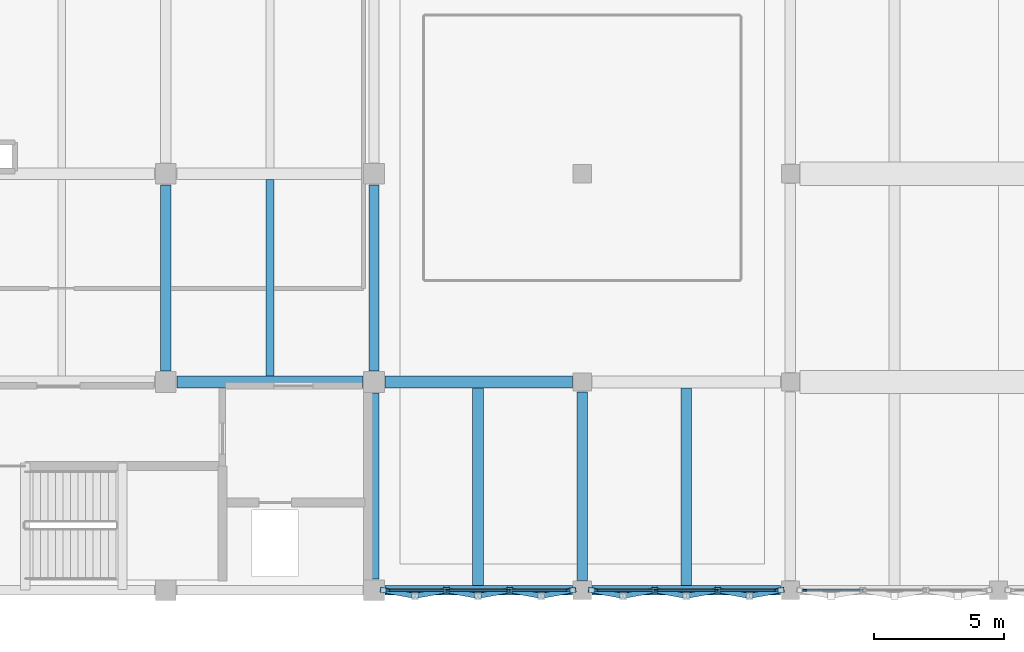
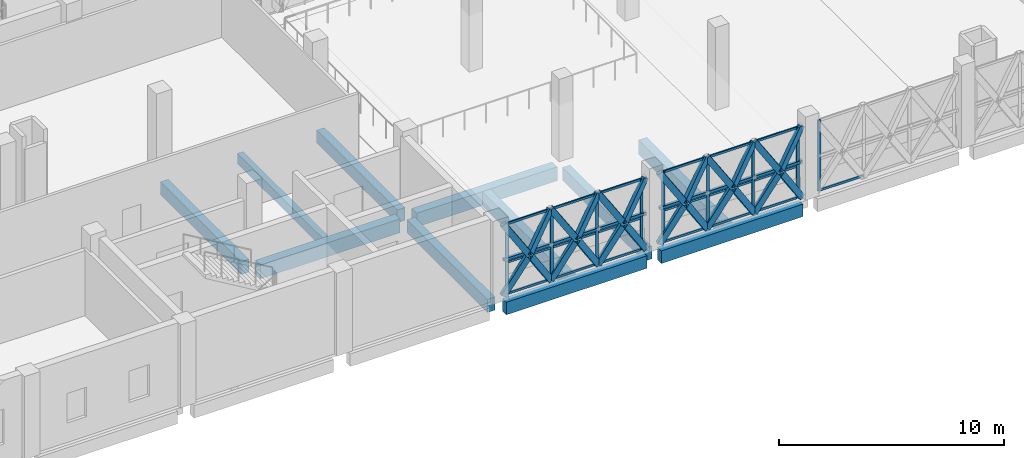
# One storey, part 5 of 45: 58 members, 11 beams, 3 elements without a shape of their own.
"""IFC4 building model written with IfcOpenShell, lengths in metres."""

from ifc_helpers import new_model, si_unit, direction, frame, origin, origin_2d, place, context, subcontext, project, spatial, rectangle, hollow_rectangle, extrude, material, layer, layer_set, material_profile, profile_set, type_object, element, aggregate, save


model = new_model("IFC4")

# Units and contexts
model_context = context("Model", 3, precision=1e-05, world=origin(), true_north=direction((0.0, 1.0)))
body_context = subcontext(model_context, "Body", "Model", "MODEL_VIEW")
ifc_project = project(units=[si_unit("LENGTHUNIT", "METRE"), si_unit("AREAUNIT", "SQUARE_METRE"), si_unit("VOLUMEUNIT", "CUBIC_METRE"), si_unit("PLANEANGLEUNIT", "RADIAN"), si_unit("MASSUNIT", "GRAM", prefix="KILO")], contexts=[model_context])

# Site, building, storey
site_placement = place(None, origin())
site = spatial("IfcSite", under=ifc_project, at=site_placement, CompositionType="ELEMENT")
building_placement = place(site_placement, origin())
building = spatial("IfcBuilding", under=site, at=building_placement, Name="Qorikala Patio Media Centre", CompositionType="ELEMENT")
storey_placement = place(building_placement, frame((0.0, 0.0, 9.89990234375)))
storey = spatial("IfcBuildingStorey", under=building, at=storey_placement, Name="L02", CompositionType="ELEMENT", Elevation=9.89990234375)

# Beams
ifc_material_1 = material(Name="Concrete C35/45", Category="concrete")
ifc_material_profile_1 = material_profile(ifc_material_1, rectangle(XDim=0.39990234375, YDim=0.699951171875, at=origin_2d()), Name="RC 400x700")
ifc_profile_set_1 = profile_set([ifc_material_profile_1], Name="Concrete C35/45")
beam_type_1 = type_object("IfcBeamType", Name="BM-G400X700", PredefinedType="BEAM", material=ifc_profile_set_1)
for number, where, z_axis, x_axis, name in (
    (1, (35.0, 11.425048828125, -0.64990234375), (0.0, 1.0, 0.0), (-1.0, 0.0, 0.0), "L02 Grid X=35 Beam 0935"),
    (2, (43.0, 3.425048828125, -0.64990234375), (0.0, 1.0, 0.0), (-1.0, 0.0, 0.0), "L02 Grid X=43 Beam 0942"),
    (3, (43.0, 11.425048828125, -0.64990234375), (0.0, 1.0, 0.0), (-1.0, 0.0, 0.0), "L02 Grid X=43 Beam 0943"),
):
    element("IfcBeam", number, at=place(storey_placement, frame(where, z_axis=z_axis, x_axis=x_axis)), inside=storey, type_object=beam_type_1, Name=name, PredefinedType="BEAM", context=body_context, shape_type="SweptSolid", body=[
        extrude(rectangle(XDim=0.39990234375, YDim=0.699951171875, at=origin_2d()), origin(), (0.0, 0.0, 1.0), 7.14990234375),
    ])
beam_1_placement = place(storey_placement, frame((51.0, 3.375, -0.64990234375), z_axis=(0.0, 1.0, 0.0), x_axis=(-1.0, 0.0, 0.0)))
element("IfcBeam", 4, at=beam_1_placement, inside=storey, type_object=beam_type_1, Name="L02 Grid X=51 Beam 0946", PredefinedType="BEAM", context=body_context, shape_type="SweptSolid", body=[
    extrude(rectangle(XDim=0.39990234375, YDim=0.699951171875, at=origin_2d()), origin(), (0.0, 0.0, 1.0), 7.25),
])
ifc_material_profile_2 = material_profile(ifc_material_1, rectangle(XDim=0.449951171875, YDim=0.75, at=origin_2d()), Name="RC 450x750")
ifc_profile_set_2 = profile_set([ifc_material_profile_2], Name="Concrete C35/45")
beam_type_2 = type_object("IfcBeamType", Name="BM-G450X750", PredefinedType="BEAM", material=ifc_profile_set_2)
beam_2_placement = place(storey_placement, frame((35.425048828125, 11.0, -0.6748046875), z_axis=(1.0, 0.0, 0.0), x_axis=(0.0, 1.0, 0.0)))
element("IfcBeam", 5, at=beam_2_placement, inside=storey, type_object=beam_type_2, Name="L02 Grid 11 Beam 0780", PredefinedType="BEAM", context=body_context, shape_type="SweptSolid", body=[
    extrude(rectangle(XDim=0.449951171875, YDim=0.75, at=origin_2d()), origin(), (0.0, 0.0, 1.0), 7.14990234375),
])
beam_3_placement = place(storey_placement, frame((43.425048828125, 11.0, -0.6748046875), z_axis=(1.0, 0.0, 0.0), x_axis=(0.0, 1.0, 0.0)))
element("IfcBeam", 6, at=beam_3_placement, inside=storey, type_object=beam_type_2, Name="L02 Grid 11 Beam 0781", PredefinedType="BEAM", context=body_context, shape_type="SweptSolid", body=[
    extrude(rectangle(XDim=0.449951171875, YDim=0.75, at=origin_2d()), origin(), (0.0, 0.0, 1.0), 7.199951171875),
])

# Members
ifc_material_2 = material(Name="Golden Bronze Coated Steel S355", Category="steel")
ifc_material_profile_3 = material_profile(ifc_material_2, hollow_rectangle(XDim=0.139892578125, YDim=0.139892578125, WallThickness=0.006103515625, at=origin_2d()), Name="HSS140X140X6")
ifc_profile_set_3 = profile_set([ifc_material_profile_3], Name="Golden Bronze Coated Steel S355")
member_type_1 = type_object("IfcMemberType", Name="BRACE-DIA140", PredefinedType="BRACE", material=ifc_profile_set_3)
member_1_placement = place(storey_placement, frame((58.639892578125, 3.0, 1.925048828125), z_axis=(-1.0, 0.0, 0.0), x_axis=(0.0, -1.0, 0.0)))
element("IfcMember", 7, at=member_1_placement, inside=storey, type_object=member_type_1, Name="L02 Diamond Fold Tie 043", PredefinedType="BRACE", context=body_context, shape_type="SweptSolid", body=[
    extrude(hollow_rectangle(XDim=0.139892578125, YDim=0.139892578125, WallThickness=0.006103515625, at=origin_2d()), origin(), (0.0, 0.0, 1.0), 2.426513671875),
])
member_2_placement = place(storey_placement, frame((56.21337890625, 3.0, 1.925048828125), z_axis=(-1.0, 0.0, 0.0), x_axis=(0.0, -1.0, 0.0)))
element("IfcMember", 8, at=member_2_placement, inside=storey, type_object=member_type_1, Name="L02 Diamond Fold Tie 044", PredefinedType="BRACE", context=body_context, shape_type="SweptSolid", body=[
    extrude(hollow_rectangle(XDim=0.139892578125, YDim=0.139892578125, WallThickness=0.006103515625, at=origin_2d()), origin(), (0.0, 0.0, 1.0), 2.4267578125),
])
for number, where, z_axis, x_axis, name in (
    (9, (53.78662109375, 3.0, 1.925048828125), (-1.0, 0.0, 0.0), (0.0, -1.0, 0.0), "L02 Diamond Fold Tie 045"),
    (10, (50.639892578125, 3.0, 1.925048828125), (-1.0, 0.0, 0.0), (0.0, -1.0, 0.0), "L02 Diamond Fold Tie 046"),
):
    element("IfcMember", number, at=place(storey_placement, frame(where, z_axis=z_axis, x_axis=x_axis)), inside=storey, type_object=member_type_1, Name=name, PredefinedType="BRACE", context=body_context, shape_type="SweptSolid", body=[
        extrude(hollow_rectangle(XDim=0.139892578125, YDim=0.139892578125, WallThickness=0.006103515625, at=origin_2d()), origin(), (0.0, 0.0, 1.0), 2.426513671875),
    ])
member_3_placement = place(storey_placement, frame((48.21337890625, 3.0, 1.925048828125), z_axis=(-1.0, 0.0, 0.0), x_axis=(0.0, -1.0, 0.0)))
element("IfcMember", 11, at=member_3_placement, inside=storey, type_object=member_type_1, Name="L02 Diamond Fold Tie 047", PredefinedType="BRACE", context=body_context, shape_type="SweptSolid", body=[
    extrude(hollow_rectangle(XDim=0.139892578125, YDim=0.139892578125, WallThickness=0.006103515625, at=origin_2d()), origin(), (0.0, 0.0, 1.0), 2.4267578125),
])
member_4_placement = place(storey_placement, frame((45.78662109375, 3.0, 1.925048828125), z_axis=(-1.0, 0.0, 0.0), x_axis=(0.0, -1.0, 0.0)))
element("IfcMember", 12, at=member_4_placement, inside=storey, type_object=member_type_1, Name="L02 Diamond Fold Tie 048", PredefinedType="BRACE", context=body_context, shape_type="SweptSolid", body=[
    extrude(hollow_rectangle(XDim=0.139892578125, YDim=0.139892578125, WallThickness=0.006103515625, at=origin_2d()), origin(), (0.0, 0.0, 1.0), 2.426513671875),
])

# Curtain wall, member
ifc_material_3 = material(Name="Golden Bronze Anodised Aluminium and Low-E Glass", Category="aluminium")
ifc_layer = layer(ifc_material_3, 0.159912109375)
ifc_layer_set = layer_set([ifc_layer], Name="Golden Bronze Anodised Aluminium and Low-E Glass")
curtain_wall_type = type_object("IfcCurtainWallType", Name="CW-DIA-696X385", PredefinedType="USERDEFINED", material=ifc_layer_set)
curtain_wall_1_placement = place(storey_placement, origin())
curtain_wall_1 = element("IfcCurtainWall", 13, at=curtain_wall_1_placement, inside=storey, type_object=curtain_wall_type, Name="L02 Courtyard Curtain Wall 042", ObjectType="COURTYARD CURTAIN WALL", PredefinedType="USERDEFINED")
ifc_material_4 = material(Name="Golden Bronze Anodised Aluminium", Category="aluminium")
ifc_material_profile_4 = material_profile(ifc_material_4, rectangle(XDim=0.06494140625, YDim=0.14990234375, at=origin_2d()), Name="ALU MULLION 65x150")
ifc_profile_set_4 = profile_set([ifc_material_profile_4], Name="Golden Bronze Anodised Aluminium")
member_type_2 = type_object("IfcMemberType", Name="CWM-65X150", PredefinedType="MULLION", material=ifc_profile_set_4)
member_5_placement = place(storey_placement, frame((59.552490234375, 3.0, 0.0), z_axis=(0.0, 0.0, 1.0), x_axis=(0.0, -1.0, 0.0)))
member_5 = element("IfcMember", 14, at=member_5_placement, type_object=member_type_2, Name="CWD696385 mullion 4", PredefinedType="MULLION", context=body_context, shape_type="SweptSolid", body=[
    extrude(rectangle(XDim=0.06494140625, YDim=0.14990234375, at=origin_2d()), origin(), (0.0, 0.0, 1.0), 3.85009765625),
])

# Curtain wall, members
curtain_wall_2_placement = place(storey_placement, origin())
curtain_wall_2 = element("IfcCurtainWall", 15, at=curtain_wall_2_placement, inside=storey, type_object=curtain_wall_type, Name="L02 Courtyard Curtain Wall 043", ObjectType="COURTYARD CURTAIN WALL", PredefinedType="USERDEFINED")
member_6_placement = place(storey_placement, frame((58.447509765625, 3.0, 0.0), z_axis=(0.0, 0.0, 1.0), x_axis=(0.0, -1.0, 0.0)))
member_6 = element("IfcMember", 16, at=member_6_placement, type_object=member_type_2, Name="CWD696385 mullion 1", PredefinedType="MULLION", context=body_context, shape_type="SweptSolid", body=[
    extrude(rectangle(XDim=0.06494140625, YDim=0.14990234375, at=origin_2d()), origin(), (0.0, 0.0, 1.0), 3.85009765625),
])
member_7_placement = place(storey_placement, frame((56.159912109375, 3.0, 0.0), z_axis=(0.0, 0.0, 1.0), x_axis=(0.0, -1.0, 0.0)))
member_7 = element("IfcMember", 17, at=member_7_placement, type_object=member_type_2, Name="CWD696385 mullion 2", PredefinedType="MULLION", context=body_context, shape_type="SweptSolid", body=[
    extrude(rectangle(XDim=0.06494140625, YDim=0.14990234375, at=origin_2d()), origin(), (0.0, 0.0, 1.0), 3.85009765625),
])
member_8_placement = place(storey_placement, frame((53.840087890625, 3.0, 0.0), z_axis=(0.0, 0.0, 1.0), x_axis=(0.0, -1.0, 0.0)))
member_8 = element("IfcMember", 18, at=member_8_placement, type_object=member_type_2, Name="CWD696385 mullion 3", PredefinedType="MULLION", context=body_context, shape_type="SweptSolid", body=[
    extrude(rectangle(XDim=0.06494140625, YDim=0.14990234375, at=origin_2d()), origin(), (0.0, 0.0, 1.0), 3.85009765625),
])
member_9_placement = place(storey_placement, frame((51.552490234375, 3.0, 0.0), z_axis=(0.0, 0.0, 1.0), x_axis=(0.0, -1.0, 0.0)))
member_9 = element("IfcMember", 19, at=member_9_placement, type_object=member_type_2, Name="CWD696385 mullion 4", PredefinedType="MULLION", context=body_context, shape_type="SweptSolid", body=[
    extrude(rectangle(XDim=0.06494140625, YDim=0.14990234375, at=origin_2d()), origin(), (0.0, 0.0, 1.0), 3.85009765625),
])

curtain_wall_3_placement = place(storey_placement, origin())
curtain_wall_3 = element("IfcCurtainWall", 20, at=curtain_wall_3_placement, inside=storey, type_object=curtain_wall_type, Name="L02 Courtyard Curtain Wall 044", ObjectType="COURTYARD CURTAIN WALL", PredefinedType="USERDEFINED")
member_10_placement = place(storey_placement, frame((50.447509765625, 3.0, 0.0), z_axis=(0.0, 0.0, 1.0), x_axis=(0.0, -1.0, 0.0)))
member_10 = element("IfcMember", 21, at=member_10_placement, type_object=member_type_2, Name="CWD696385 mullion 1", PredefinedType="MULLION", context=body_context, shape_type="SweptSolid", body=[
    extrude(rectangle(XDim=0.06494140625, YDim=0.14990234375, at=origin_2d()), origin(), (0.0, 0.0, 1.0), 3.85009765625),
])
member_11_placement = place(storey_placement, frame((48.159912109375, 3.0, 0.0), z_axis=(0.0, 0.0, 1.0), x_axis=(0.0, -1.0, 0.0)))
member_11 = element("IfcMember", 22, at=member_11_placement, type_object=member_type_2, Name="CWD696385 mullion 2", PredefinedType="MULLION", context=body_context, shape_type="SweptSolid", body=[
    extrude(rectangle(XDim=0.06494140625, YDim=0.14990234375, at=origin_2d()), origin(), (0.0, 0.0, 1.0), 3.85009765625),
])
member_12_placement = place(storey_placement, frame((45.840087890625, 3.0, 0.0), z_axis=(0.0, 0.0, 1.0), x_axis=(0.0, -1.0, 0.0)))
member_12 = element("IfcMember", 23, at=member_12_placement, type_object=member_type_2, Name="CWD696385 mullion 3", PredefinedType="MULLION", context=body_context, shape_type="SweptSolid", body=[
    extrude(rectangle(XDim=0.06494140625, YDim=0.14990234375, at=origin_2d()), origin(), (0.0, 0.0, 1.0), 3.85009765625),
])
member_13_placement = place(storey_placement, frame((43.552490234375, 3.0, 0.0), z_axis=(0.0, 0.0, 1.0), x_axis=(0.0, -1.0, 0.0)))
member_13 = element("IfcMember", 24, at=member_13_placement, type_object=member_type_2, Name="CWD696385 mullion 4", PredefinedType="MULLION", context=body_context, shape_type="SweptSolid", body=[
    extrude(rectangle(XDim=0.06494140625, YDim=0.14990234375, at=origin_2d()), origin(), (0.0, 0.0, 1.0), 3.85009765625),
])

# Member
ifc_material_profile_5 = material_profile(ifc_material_4, rectangle(XDim=0.06494140625, YDim=0.1201171875, at=origin_2d()), Name="ALU TRANSOM 65x120")
ifc_profile_set_5 = profile_set([ifc_material_profile_5], Name="Golden Bronze Anodised Aluminium")
member_type_3 = type_object("IfcMemberType", Name="CWT-65X120", PredefinedType="USERDEFINED", material=ifc_profile_set_5)
member_14_placement = place(storey_placement, frame((61.8076171875, 3.0, 0.03271484375), z_axis=(-1.0, 0.0, 0.0), x_axis=(0.0, -1.0, 0.0)))
member_14 = element("IfcMember", 25, at=member_14_placement, type_object=member_type_3, Name="CWD696385 transom 3.1", ObjectType="TRANSOM", PredefinedType="USERDEFINED", context=body_context, shape_type="SweptSolid", body=[
    extrude(rectangle(XDim=0.06494140625, YDim=0.1201171875, at=origin_2d()), origin(), (0.0, 0.0, 1.0), 2.22265625),
])

aggregate(curtain_wall_1, [member_5, member_14])

member_15_placement = place(storey_placement, frame((58.4150390625, 3.0, 0.03271484375), z_axis=(-1.0, 0.0, 0.0), x_axis=(0.0, -1.0, 0.0)))
member_15 = element("IfcMember", 26, at=member_15_placement, type_object=member_type_3, Name="CWD696385 transom 1.1", ObjectType="TRANSOM", PredefinedType="USERDEFINED", context=body_context, shape_type="SweptSolid", body=[
    extrude(rectangle(XDim=0.06494140625, YDim=0.1201171875, at=origin_2d()), origin(), (0.0, 0.0, 1.0), 2.22265625),
])

member_16_placement = place(storey_placement, frame((58.4150390625, 3.0, 1.732666015625), z_axis=(-1.0, 0.0, 0.0), x_axis=(0.0, -1.0, 0.0)))
member_16 = element("IfcMember", 27, at=member_16_placement, type_object=member_type_3, Name="CWD696385 transom 1.2", ObjectType="TRANSOM", PredefinedType="USERDEFINED", context=body_context, shape_type="SweptSolid", body=[
    extrude(rectangle(XDim=0.06494140625, YDim=0.1201171875, at=origin_2d()), origin(), (0.0, 0.0, 1.0), 2.22265625),
])

member_17_placement = place(storey_placement, frame((58.4150390625, 3.0, 3.817626953125), z_axis=(-1.0, 0.0, 0.0), x_axis=(0.0, -1.0, 0.0)))
member_17 = element("IfcMember", 28, at=member_17_placement, type_object=member_type_3, Name="CWD696385 transom 1.3", ObjectType="TRANSOM", PredefinedType="USERDEFINED", context=body_context, shape_type="SweptSolid", body=[
    extrude(rectangle(XDim=0.06494140625, YDim=0.1201171875, at=origin_2d()), origin(), (0.0, 0.0, 1.0), 2.22265625),
])

member_18_placement = place(storey_placement, frame((56.12744140625, 3.0, 0.03271484375), z_axis=(-1.0, 0.0, 0.0), x_axis=(0.0, -1.0, 0.0)))
member_18 = element("IfcMember", 29, at=member_18_placement, type_object=member_type_3, Name="CWD696385 transom 2.1", ObjectType="TRANSOM", PredefinedType="USERDEFINED", context=body_context, shape_type="SweptSolid", body=[
    extrude(rectangle(XDim=0.06494140625, YDim=0.1201171875, at=origin_2d()), origin(), (0.0, 0.0, 1.0), 2.2548828125),
])

member_19_placement = place(storey_placement, frame((56.12744140625, 3.0, 1.732666015625), z_axis=(-1.0, 0.0, 0.0), x_axis=(0.0, -1.0, 0.0)))
member_19 = element("IfcMember", 30, at=member_19_placement, type_object=member_type_3, Name="CWD696385 transom 2.2", ObjectType="TRANSOM", PredefinedType="USERDEFINED", context=body_context, shape_type="SweptSolid", body=[
    extrude(rectangle(XDim=0.06494140625, YDim=0.1201171875, at=origin_2d()), origin(), (0.0, 0.0, 1.0), 2.2548828125),
])

member_20_placement = place(storey_placement, frame((56.12744140625, 3.0, 3.817626953125), z_axis=(-1.0, 0.0, 0.0), x_axis=(0.0, -1.0, 0.0)))
member_20 = element("IfcMember", 31, at=member_20_placement, type_object=member_type_3, Name="CWD696385 transom 2.3", ObjectType="TRANSOM", PredefinedType="USERDEFINED", context=body_context, shape_type="SweptSolid", body=[
    extrude(rectangle(XDim=0.06494140625, YDim=0.1201171875, at=origin_2d()), origin(), (0.0, 0.0, 1.0), 2.2548828125),
])

member_21_placement = place(storey_placement, frame((53.8076171875, 3.0, 0.03271484375), z_axis=(-1.0, 0.0, 0.0), x_axis=(0.0, -1.0, 0.0)))
member_21 = element("IfcMember", 32, at=member_21_placement, type_object=member_type_3, Name="CWD696385 transom 3.1", ObjectType="TRANSOM", PredefinedType="USERDEFINED", context=body_context, shape_type="SweptSolid", body=[
    extrude(rectangle(XDim=0.06494140625, YDim=0.1201171875, at=origin_2d()), origin(), (0.0, 0.0, 1.0), 2.22265625),
])

member_22_placement = place(storey_placement, frame((53.8076171875, 3.0, 1.732666015625), z_axis=(-1.0, 0.0, 0.0), x_axis=(0.0, -1.0, 0.0)))
member_22 = element("IfcMember", 33, at=member_22_placement, type_object=member_type_3, Name="CWD696385 transom 3.2", ObjectType="TRANSOM", PredefinedType="USERDEFINED", context=body_context, shape_type="SweptSolid", body=[
    extrude(rectangle(XDim=0.06494140625, YDim=0.1201171875, at=origin_2d()), origin(), (0.0, 0.0, 1.0), 2.22265625),
])

member_23_placement = place(storey_placement, frame((53.8076171875, 3.0, 3.817626953125), z_axis=(-1.0, 0.0, 0.0), x_axis=(0.0, -1.0, 0.0)))
member_23 = element("IfcMember", 34, at=member_23_placement, type_object=member_type_3, Name="CWD696385 transom 3.3", ObjectType="TRANSOM", PredefinedType="USERDEFINED", context=body_context, shape_type="SweptSolid", body=[
    extrude(rectangle(XDim=0.06494140625, YDim=0.1201171875, at=origin_2d()), origin(), (0.0, 0.0, 1.0), 2.22265625),
])

aggregate(curtain_wall_2, [member_6, member_7, member_8, member_9, member_15, member_16, member_17, member_18, member_19, member_20, member_21, member_22, member_23])

member_24_placement = place(storey_placement, frame((50.4150390625, 3.0, 0.03271484375), z_axis=(-1.0, 0.0, 0.0), x_axis=(0.0, -1.0, 0.0)))
member_24 = element("IfcMember", 35, at=member_24_placement, type_object=member_type_3, Name="CWD696385 transom 1.1", ObjectType="TRANSOM", PredefinedType="USERDEFINED", context=body_context, shape_type="SweptSolid", body=[
    extrude(rectangle(XDim=0.06494140625, YDim=0.1201171875, at=origin_2d()), origin(), (0.0, 0.0, 1.0), 2.22265625),
])

member_25_placement = place(storey_placement, frame((50.4150390625, 3.0, 1.732666015625), z_axis=(-1.0, 0.0, 0.0), x_axis=(0.0, -1.0, 0.0)))
member_25 = element("IfcMember", 36, at=member_25_placement, type_object=member_type_3, Name="CWD696385 transom 1.2", ObjectType="TRANSOM", PredefinedType="USERDEFINED", context=body_context, shape_type="SweptSolid", body=[
    extrude(rectangle(XDim=0.06494140625, YDim=0.1201171875, at=origin_2d()), origin(), (0.0, 0.0, 1.0), 2.22265625),
])

member_26_placement = place(storey_placement, frame((50.4150390625, 3.0, 3.817626953125), z_axis=(-1.0, 0.0, 0.0), x_axis=(0.0, -1.0, 0.0)))
member_26 = element("IfcMember", 37, at=member_26_placement, type_object=member_type_3, Name="CWD696385 transom 1.3", ObjectType="TRANSOM", PredefinedType="USERDEFINED", context=body_context, shape_type="SweptSolid", body=[
    extrude(rectangle(XDim=0.06494140625, YDim=0.1201171875, at=origin_2d()), origin(), (0.0, 0.0, 1.0), 2.22265625),
])

member_27_placement = place(storey_placement, frame((48.12744140625, 3.0, 0.03271484375), z_axis=(-1.0, 0.0, 0.0), x_axis=(0.0, -1.0, 0.0)))
member_27 = element("IfcMember", 38, at=member_27_placement, type_object=member_type_3, Name="CWD696385 transom 2.1", ObjectType="TRANSOM", PredefinedType="USERDEFINED", context=body_context, shape_type="SweptSolid", body=[
    extrude(rectangle(XDim=0.06494140625, YDim=0.1201171875, at=origin_2d()), origin(), (0.0, 0.0, 1.0), 2.2548828125),
])

member_28_placement = place(storey_placement, frame((48.12744140625, 3.0, 1.732666015625), z_axis=(-1.0, 0.0, 0.0), x_axis=(0.0, -1.0, 0.0)))
member_28 = element("IfcMember", 39, at=member_28_placement, type_object=member_type_3, Name="CWD696385 transom 2.2", ObjectType="TRANSOM", PredefinedType="USERDEFINED", context=body_context, shape_type="SweptSolid", body=[
    extrude(rectangle(XDim=0.06494140625, YDim=0.1201171875, at=origin_2d()), origin(), (0.0, 0.0, 1.0), 2.2548828125),
])

member_29_placement = place(storey_placement, frame((48.12744140625, 3.0, 3.817626953125), z_axis=(-1.0, 0.0, 0.0), x_axis=(0.0, -1.0, 0.0)))
member_29 = element("IfcMember", 40, at=member_29_placement, type_object=member_type_3, Name="CWD696385 transom 2.3", ObjectType="TRANSOM", PredefinedType="USERDEFINED", context=body_context, shape_type="SweptSolid", body=[
    extrude(rectangle(XDim=0.06494140625, YDim=0.1201171875, at=origin_2d()), origin(), (0.0, 0.0, 1.0), 2.2548828125),
])

member_30_placement = place(storey_placement, frame((45.8076171875, 3.0, 0.03271484375), z_axis=(-1.0, 0.0, 0.0), x_axis=(0.0, -1.0, 0.0)))
member_30 = element("IfcMember", 41, at=member_30_placement, type_object=member_type_3, Name="CWD696385 transom 3.1", ObjectType="TRANSOM", PredefinedType="USERDEFINED", context=body_context, shape_type="SweptSolid", body=[
    extrude(rectangle(XDim=0.06494140625, YDim=0.1201171875, at=origin_2d()), origin(), (0.0, 0.0, 1.0), 2.22265625),
])

member_31_placement = place(storey_placement, frame((45.8076171875, 3.0, 1.732666015625), z_axis=(-1.0, 0.0, 0.0), x_axis=(0.0, -1.0, 0.0)))
member_31 = element("IfcMember", 42, at=member_31_placement, type_object=member_type_3, Name="CWD696385 transom 3.2", ObjectType="TRANSOM", PredefinedType="USERDEFINED", context=body_context, shape_type="SweptSolid", body=[
    extrude(rectangle(XDim=0.06494140625, YDim=0.1201171875, at=origin_2d()), origin(), (0.0, 0.0, 1.0), 2.22265625),
])

member_32_placement = place(storey_placement, frame((45.8076171875, 3.0, 3.817626953125), z_axis=(-1.0, 0.0, 0.0), x_axis=(0.0, -1.0, 0.0)))
member_32 = element("IfcMember", 43, at=member_32_placement, type_object=member_type_3, Name="CWD696385 transom 3.3", ObjectType="TRANSOM", PredefinedType="USERDEFINED", context=body_context, shape_type="SweptSolid", body=[
    extrude(rectangle(XDim=0.06494140625, YDim=0.1201171875, at=origin_2d()), origin(), (0.0, 0.0, 1.0), 2.22265625),
])

aggregate(curtain_wall_3, [member_10, member_11, member_12, member_13, member_24, member_25, member_26, member_27, member_28, member_29, member_30, member_31, member_32])

# Beams
ifc_material_profile_6 = material_profile(ifc_material_1, rectangle(XDim=0.300048828125, YDim=0.550048828125, at=origin_2d()), Name="RC 300x550")
ifc_profile_set_6 = profile_set([ifc_material_profile_6], Name="Concrete C35/45")
beam_type_3 = type_object("IfcBeamType", Name="JS-300X550", PredefinedType="JOIST", material=ifc_profile_set_6)
beam_4_placement = place(storey_placement, frame((39.0, 11.22509765625, -0.574951171875), z_axis=(0.0, 1.0, 0.0), x_axis=(-1.0, 0.0, 0.0)))
element("IfcBeam", 44, at=beam_4_placement, inside=storey, type_object=beam_type_3, Name="L02 Secondary Joist 1050", PredefinedType="JOIST", context=body_context, shape_type="SweptSolid", body=[
    extrude(rectangle(XDim=0.300048828125, YDim=0.550048828125, at=origin_2d()), origin(), (0.0, 0.0, 1.0), 7.5498046875),
])
ifc_material_profile_7 = material_profile(ifc_material_1, rectangle(XDim=0.35009765625, YDim=0.679931640625, at=origin_2d()), Name="RC 350x680")
ifc_profile_set_7 = profile_set([ifc_material_profile_7], Name="Concrete C35/45")
beam_type_4 = type_object("IfcBeamType", Name="SP-350X680", PredefinedType="SPANDREL", material=ifc_profile_set_7)
beam_5_placement = place(storey_placement, frame((43.425048828125, 3.0, -0.639892578125), z_axis=(1.0, 0.0, 0.0), x_axis=(0.0, 1.0, 0.0)))
element("IfcBeam", 45, at=beam_5_placement, inside=storey, type_object=beam_type_4, Name="L02 Grid 3 Beam 0760", PredefinedType="SPANDREL", context=body_context, shape_type="SweptSolid", body=[
    extrude(rectangle(XDim=0.35009765625, YDim=0.679931640625, at=origin_2d()), origin(), (0.0, 0.0, 1.0), 7.199951171875),
])
beam_6_placement = place(storey_placement, frame((51.375, 3.0, -0.639892578125), z_axis=(1.0, 0.0, 0.0), x_axis=(0.0, 1.0, 0.0)))
element("IfcBeam", 46, at=beam_6_placement, inside=storey, type_object=beam_type_4, Name="L02 Grid 3 Beam 0761", PredefinedType="SPANDREL", context=body_context, shape_type="SweptSolid", body=[
    extrude(rectangle(XDim=0.35009765625, YDim=0.679931640625, at=origin_2d()), origin(), (0.0, 0.0, 1.0), 7.25),
])

# Members
ifc_material_profile_8 = material_profile(ifc_material_2, hollow_rectangle(XDim=0.199951171875, YDim=0.300048828125, WallThickness=0.011962890625, at=origin_2d()), Name="HSS300X200X12")
ifc_profile_set_8 = profile_set([ifc_material_profile_8], Name="Golden Bronze Coated Steel S355")
member_type_4 = type_object("IfcMemberType", Name="STRUT-DIA300", PredefinedType="STRUT", material=ifc_profile_set_8)
member_33_placement = place(storey_placement, frame((58.639892578125, 3.0, 0.0), z_axis=(-0.530691378365, -0.095906793675, 0.842121456713), x_axis=(0.17783968734, -0.984059472596, 0.0)))
element("IfcMember", 47, at=member_33_placement, inside=storey, type_object=member_type_4, Name="L02 Diamond Foyer Fold Strut 043-DL1", PredefinedType="STRUT", context=body_context, shape_type="SweptSolid", body=[
    extrude(hollow_rectangle(XDim=0.199951171875, YDim=0.300048828125, WallThickness=0.011962890625, at=origin_2d()), origin(), (0.0, 0.0, 1.0), 2.285888671875),
])
member_34_placement = place(storey_placement, frame((56.21337890625, 3.0, 0.0), z_axis=(0.530768093717, -0.095901357778, 0.842073726148), x_axis=(0.177805036072, 0.98406573416, 0.0)))
element("IfcMember", 48, at=member_34_placement, inside=storey, type_object=member_type_4, Name="L02 Diamond Foyer Fold Strut 043-DL2", PredefinedType="STRUT", context=body_context, shape_type="SweptSolid", body=[
    extrude(hollow_rectangle(XDim=0.199951171875, YDim=0.300048828125, WallThickness=0.011962890625, at=origin_2d()), origin(), (0.0, 0.0, 1.0), 2.2861328125),
])
member_35_placement = place(storey_placement, frame((57.4267578125, 2.78076171875, 1.925048828125), z_axis=(0.530691378365, 0.095906793675, 0.842121456713), x_axis=(-0.17783968734, 0.984059472596, 0.0)))
element("IfcMember", 49, at=member_35_placement, inside=storey, type_object=member_type_4, Name="L02 Diamond Foyer Fold Strut 043-DU1", PredefinedType="STRUT", context=body_context, shape_type="SweptSolid", body=[
    extrude(hollow_rectangle(XDim=0.199951171875, YDim=0.300048828125, WallThickness=0.011962890625, at=origin_2d()), origin(), (0.0, 0.0, 1.0), 2.285888671875),
])
for number, where, z_axis, x_axis, name in (
    (50, (57.4267578125, 2.78076171875, 1.925048828125), (-0.530768093717, 0.095901357778, 0.842073726148), (-0.177805036072, -0.98406573416, 0.0), "L02 Diamond Foyer Fold Strut 043-DU2"),
    (51, (56.21337890625, 3.0, 0.0), (-0.530768093717, -0.095901357778, 0.842073726148), (0.177805036072, -0.98406573416, 0.0), "L02 Diamond Foyer Fold Strut 044-DL1"),
    (52, (53.78662109375, 3.0, 0.0), (0.530768093717, -0.095901357778, 0.842073726148), (0.177805036072, 0.98406573416, 0.0), "L02 Diamond Foyer Fold Strut 044-DL2"),
    (53, (55.0, 2.78076171875, 1.925048828125), (0.530768093717, 0.095901357778, 0.842073726148), (-0.177805036072, 0.98406573416, 0.0), "L02 Diamond Foyer Fold Strut 044-DU1"),
    (54, (55.0, 2.78076171875, 1.925048828125), (-0.530768093717, 0.095901357778, 0.842073726148), (-0.177805036072, -0.98406573416, 0.0), "L02 Diamond Foyer Fold Strut 044-DU2"),
    (55, (53.78662109375, 3.0, 0.0), (-0.530768093717, -0.095901357778, 0.842073726148), (0.177805036072, -0.98406573416, 0.0), "L02 Diamond Foyer Fold Strut 045-DL1"),
):
    element("IfcMember", number, at=place(storey_placement, frame(where, z_axis=z_axis, x_axis=x_axis)), inside=storey, type_object=member_type_4, Name=name, PredefinedType="STRUT", context=body_context, shape_type="SweptSolid", body=[
        extrude(hollow_rectangle(XDim=0.199951171875, YDim=0.300048828125, WallThickness=0.011962890625, at=origin_2d()), origin(), (0.0, 0.0, 1.0), 2.2861328125),
    ])
member_36_placement = place(storey_placement, frame((51.360107421875, 3.0, 0.0), z_axis=(0.530691378365, -0.095906793675, 0.842121456713), x_axis=(0.17783968734, 0.984059472596, 0.0)))
element("IfcMember", 56, at=member_36_placement, inside=storey, type_object=member_type_4, Name="L02 Diamond Foyer Fold Strut 045-DL2", PredefinedType="STRUT", context=body_context, shape_type="SweptSolid", body=[
    extrude(hollow_rectangle(XDim=0.199951171875, YDim=0.300048828125, WallThickness=0.011962890625, at=origin_2d()), origin(), (0.0, 0.0, 1.0), 2.285888671875),
])
member_37_placement = place(storey_placement, frame((52.5732421875, 2.78076171875, 1.925048828125), z_axis=(0.530768093717, 0.095901357778, 0.842073726148), x_axis=(-0.177805036072, 0.98406573416, 0.0)))
element("IfcMember", 57, at=member_37_placement, inside=storey, type_object=member_type_4, Name="L02 Diamond Foyer Fold Strut 045-DU1", PredefinedType="STRUT", context=body_context, shape_type="SweptSolid", body=[
    extrude(hollow_rectangle(XDim=0.199951171875, YDim=0.300048828125, WallThickness=0.011962890625, at=origin_2d()), origin(), (0.0, 0.0, 1.0), 2.2861328125),
])
for number, where, z_axis, x_axis, name in (
    (58, (52.5732421875, 2.78076171875, 1.925048828125), (-0.530691378365, 0.095906793675, 0.842121456713), (-0.17783968734, -0.984059472596, 0.0), "L02 Diamond Foyer Fold Strut 045-DU2"),
    (59, (50.639892578125, 3.0, 0.0), (-0.530691378365, -0.095906793675, 0.842121456713), (0.17783968734, -0.984059472596, 0.0), "L02 Diamond Foyer Fold Strut 046-DL1"),
):
    element("IfcMember", number, at=place(storey_placement, frame(where, z_axis=z_axis, x_axis=x_axis)), inside=storey, type_object=member_type_4, Name=name, PredefinedType="STRUT", context=body_context, shape_type="SweptSolid", body=[
        extrude(hollow_rectangle(XDim=0.199951171875, YDim=0.300048828125, WallThickness=0.011962890625, at=origin_2d()), origin(), (0.0, 0.0, 1.0), 2.285888671875),
    ])
member_38_placement = place(storey_placement, frame((48.21337890625, 3.0, 0.0), z_axis=(0.530768093717, -0.095901357778, 0.842073726148), x_axis=(0.177805036072, 0.98406573416, 0.0)))
element("IfcMember", 60, at=member_38_placement, inside=storey, type_object=member_type_4, Name="L02 Diamond Foyer Fold Strut 046-DL2", PredefinedType="STRUT", context=body_context, shape_type="SweptSolid", body=[
    extrude(hollow_rectangle(XDim=0.199951171875, YDim=0.300048828125, WallThickness=0.011962890625, at=origin_2d()), origin(), (0.0, 0.0, 1.0), 2.2861328125),
])
member_39_placement = place(storey_placement, frame((49.4267578125, 2.78076171875, 1.925048828125), z_axis=(0.530691378365, 0.095906793675, 0.842121456713), x_axis=(-0.17783968734, 0.984059472596, 0.0)))
element("IfcMember", 61, at=member_39_placement, inside=storey, type_object=member_type_4, Name="L02 Diamond Foyer Fold Strut 046-DU1", PredefinedType="STRUT", context=body_context, shape_type="SweptSolid", body=[
    extrude(hollow_rectangle(XDim=0.199951171875, YDim=0.300048828125, WallThickness=0.011962890625, at=origin_2d()), origin(), (0.0, 0.0, 1.0), 2.285888671875),
])
for number, where, z_axis, x_axis, name in (
    (62, (49.4267578125, 2.78076171875, 1.925048828125), (-0.530768093717, 0.095901357778, 0.842073726148), (-0.177805036072, -0.98406573416, 0.0), "L02 Diamond Foyer Fold Strut 046-DU2"),
    (63, (48.21337890625, 3.0, 0.0), (-0.530768093717, -0.095901357778, 0.842073726148), (0.177805036072, -0.98406573416, 0.0), "L02 Diamond Foyer Fold Strut 047-DL1"),
    (64, (45.78662109375, 3.0, 0.0), (0.530768093717, -0.095901357778, 0.842073726148), (0.177805036072, 0.98406573416, 0.0), "L02 Diamond Foyer Fold Strut 047-DL2"),
    (65, (47.0, 2.78076171875, 1.925048828125), (0.530768093717, 0.095901357778, 0.842073726148), (-0.177805036072, 0.98406573416, 0.0), "L02 Diamond Foyer Fold Strut 047-DU1"),
    (66, (47.0, 2.78076171875, 1.925048828125), (-0.530768093717, 0.095901357778, 0.842073726148), (-0.177805036072, -0.98406573416, 0.0), "L02 Diamond Foyer Fold Strut 047-DU2"),
    (67, (45.78662109375, 3.0, 0.0), (-0.530768093717, -0.095901357778, 0.842073726148), (0.177805036072, -0.98406573416, 0.0), "L02 Diamond Foyer Fold Strut 048-DL1"),
):
    element("IfcMember", number, at=place(storey_placement, frame(where, z_axis=z_axis, x_axis=x_axis)), inside=storey, type_object=member_type_4, Name=name, PredefinedType="STRUT", context=body_context, shape_type="SweptSolid", body=[
        extrude(hollow_rectangle(XDim=0.199951171875, YDim=0.300048828125, WallThickness=0.011962890625, at=origin_2d()), origin(), (0.0, 0.0, 1.0), 2.2861328125),
    ])
member_40_placement = place(storey_placement, frame((43.360107421875, 3.0, 0.0), z_axis=(0.530691378365, -0.095906793675, 0.842121456713), x_axis=(0.17783968734, 0.984059472596, 0.0)))
element("IfcMember", 68, at=member_40_placement, inside=storey, type_object=member_type_4, Name="L02 Diamond Foyer Fold Strut 048-DL2", PredefinedType="STRUT", context=body_context, shape_type="SweptSolid", body=[
    extrude(hollow_rectangle(XDim=0.199951171875, YDim=0.300048828125, WallThickness=0.011962890625, at=origin_2d()), origin(), (0.0, 0.0, 1.0), 2.285888671875),
])
member_41_placement = place(storey_placement, frame((44.5732421875, 2.78076171875, 1.925048828125), z_axis=(0.530768093717, 0.095901357778, 0.842073726148), x_axis=(-0.177805036072, 0.98406573416, 0.0)))
element("IfcMember", 69, at=member_41_placement, inside=storey, type_object=member_type_4, Name="L02 Diamond Foyer Fold Strut 048-DU1", PredefinedType="STRUT", context=body_context, shape_type="SweptSolid", body=[
    extrude(hollow_rectangle(XDim=0.199951171875, YDim=0.300048828125, WallThickness=0.011962890625, at=origin_2d()), origin(), (0.0, 0.0, 1.0), 2.2861328125),
])
member_42_placement = place(storey_placement, frame((44.5732421875, 2.78076171875, 1.925048828125), z_axis=(-0.530691378365, 0.095906793675, 0.842121456713), x_axis=(-0.17783968734, -0.984059472596, 0.0)))
element("IfcMember", 70, at=member_42_placement, inside=storey, type_object=member_type_4, Name="L02 Diamond Foyer Fold Strut 048-DU2", PredefinedType="STRUT", context=body_context, shape_type="SweptSolid", body=[
    extrude(hollow_rectangle(XDim=0.199951171875, YDim=0.300048828125, WallThickness=0.011962890625, at=origin_2d()), origin(), (0.0, 0.0, 1.0), 2.285888671875),
])

# Beams
ifc_material_profile_9 = material_profile(ifc_material_1, rectangle(XDim=0.419921875, YDim=0.780029296875, at=origin_2d()), Name="RC 420x780")
ifc_profile_set_9 = profile_set([ifc_material_profile_9], Name="Concrete C35/45")
beam_type_5 = type_object("IfcBeamType", Name="TB-420X780", PredefinedType="T_BEAM", material=ifc_profile_set_9)
for number, where, z_axis, x_axis, name in (
    (71, (47.0, 3.175048828125, -0.68994140625), (0.0, 1.0, 0.0), (-1.0, 0.0, 0.0), "L02 Secondary Joist 1052"),
    (72, (55.0, 3.175048828125, -0.68994140625), (0.0, 1.0, 0.0), (-1.0, 0.0, 0.0), "L02 Secondary Joist 1053"),
):
    element("IfcBeam", number, at=place(storey_placement, frame(where, z_axis=z_axis, x_axis=x_axis)), inside=storey, type_object=beam_type_5, Name=name, PredefinedType="T_BEAM", context=body_context, shape_type="SweptSolid", body=[
        extrude(rectangle(XDim=0.419921875, YDim=0.780029296875, at=origin_2d()), origin(), (0.0, 0.0, 1.0), 7.599853515625),
    ])

save(model, "model.ifc")
